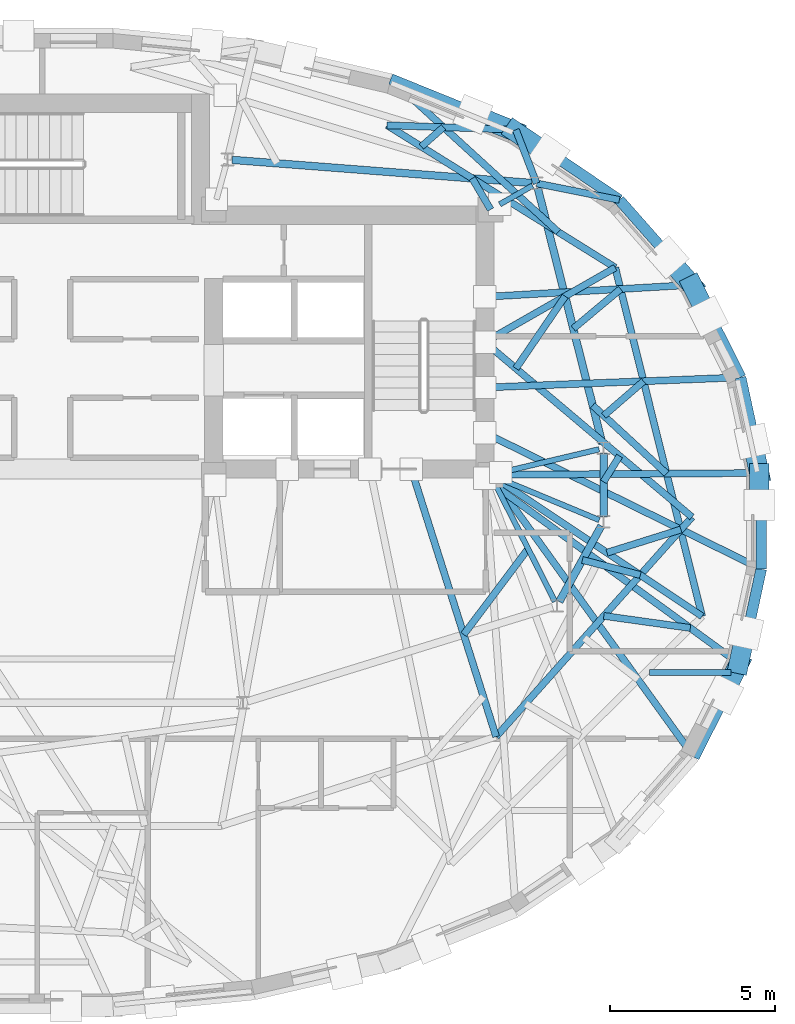
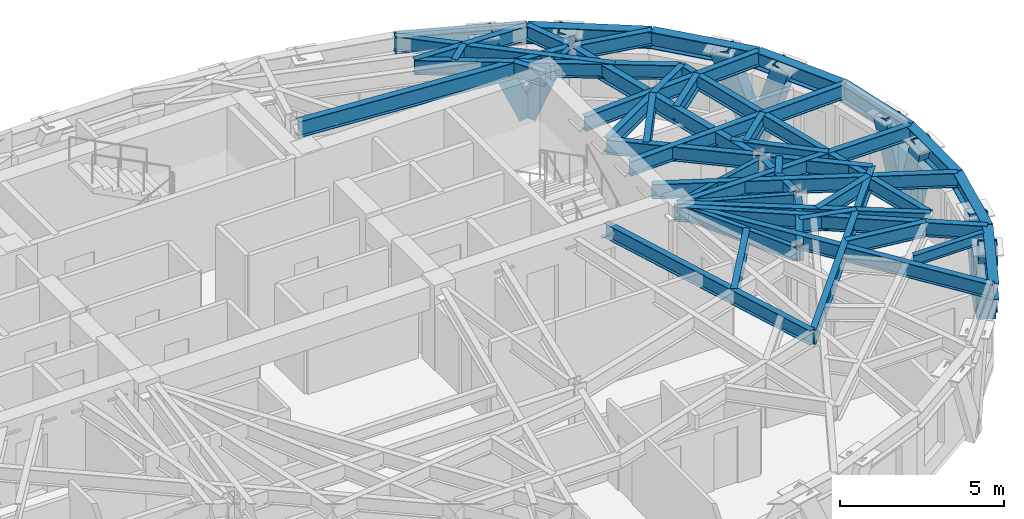
# One storey, part 4 of 13: 45 beams, 8 members.
"""IFC4 building model written with IfcOpenShell, lengths in metres."""

from ifc_helpers import new_model, si_unit, direction, frame, origin, origin_2d, place, context, subcontext, project, spatial, hollow_rectangle, i_section, extrude, material, material_profile, profile_set, type_object, element, save


model = new_model("IFC4")

# Units and contexts
model_context = context("Model", 3, precision=1e-05, world=origin(), true_north=direction((0.0, 1.0)))
body_context = subcontext(model_context, "Body", "Model", "MODEL_VIEW")
ifc_project = project(units=[si_unit("LENGTHUNIT", "METRE"), si_unit("AREAUNIT", "SQUARE_METRE"), si_unit("VOLUMEUNIT", "CUBIC_METRE"), si_unit("PLANEANGLEUNIT", "RADIAN"), si_unit("MASSUNIT", "GRAM", prefix="KILO")], contexts=[model_context])

# Site, building, storey
site_placement = place(None, origin())
site = spatial("IfcSite", under=ifc_project, at=site_placement, CompositionType="ELEMENT")
building_placement = place(site_placement, origin())
building = spatial("IfcBuilding", under=site, at=building_placement, Name="Keldmark Tower", CompositionType="ELEMENT")
storey_placement = place(building_placement, frame((0.0, 0.0, 235.199951171875)))
storey = spatial("IfcBuildingStorey", under=building, at=storey_placement, Name="L66", CompositionType="ELEMENT", Elevation=235.199951171875)

# Beam
ifc_material_1 = material(Name="Steel ASTM A992 Grade 50", Category="steel")
ifc_material_profile_1 = material_profile(ifc_material_1, i_section(OverallWidth=0.177978515625, OverallDepth=0.403076171875, WebThickness=0.007568359375, FlangeThickness=0.010986328125, at=origin_2d()), Name="W16X36")
ifc_profile_set_1 = profile_set([ifc_material_profile_1], Name="Steel ASTM A992 Grade 50")
beam_type_1 = type_object("IfcBeamType", Name="Composite Floor Joist W16X36", PredefinedType="JOIST", material=ifc_profile_set_1)
beam_1_placement = place(storey_placement, frame((18.422607421875, -4.60009765625, 2.7685546875), z_axis=(1.0, 0.0, 0.0), x_axis=(0.0, 1.0, 0.0)))
element("IfcBeam", 1, at=beam_1_placement, inside=storey, type_object=beam_type_1, Name="L66 Composite Floor Joist J05", PredefinedType="JOIST", context=body_context, shape_type="SweptSolid", body=[
    extrude(i_section(OverallWidth=0.177978515625, OverallDepth=0.403076171875, WebThickness=0.007568359375, FlangeThickness=0.010986328125, at=origin_2d()), origin(), (0.0, 0.0, 1.0), 2.466796875),
])

# Members
ifc_material_2 = material(Name="Steel ASTM A572 Grade 50", Category="steel")
ifc_material_profile_2 = material_profile(ifc_material_2, hollow_rectangle(XDim=0.60009765625, YDim=0.60009765625, WallThickness=0.034912109375, at=origin_2d()), Name="BOX600X600X35")
ifc_profile_set_2 = profile_set([ifc_material_profile_2], Name="Steel ASTM A572 Grade 50")
member_type = type_object("IfcMemberType", Name="Diagrid Zone 4 Brace BOX600X600X35", PredefinedType="BRACE", material=ifc_profile_set_2)
member_1_placement = place(storey_placement, frame((21.74951171875, 1.45068359375, -0.260009765625), z_axis=(-0.063809841383, 0.296308067664, 0.952958463512), x_axis=(-0.977588814613, -0.210523418042, 0.0)))
element("IfcMember", 2, at=member_1_placement, inside=storey, type_object=member_type, Name="L66 Perimeter Diagrid Brace 01A", PredefinedType="BRACE", context=body_context, shape_type="SweptSolid", body=[
    extrude(hollow_rectangle(XDim=0.60009765625, YDim=0.60009765625, WallThickness=0.034912109375, at=origin_2d()), origin(), (0.0, 0.0, 1.0), 3.263671875),
])
member_2_placement = place(storey_placement, frame((19.71728515625, 7.14990234375, -0.260009765625), z_axis=(0.143201801896, -0.285362136141, 0.94766117109), x_axis=(0.89377384963, 0.448517898993, 0.0)))
element("IfcMember", 3, at=member_2_placement, inside=storey, type_object=member_type, Name="L66 Perimeter Diagrid Brace 01B", PredefinedType="BRACE", context=body_context, shape_type="SweptSolid", body=[
    extrude(hollow_rectangle(XDim=0.60009765625, YDim=0.60009765625, WallThickness=0.034912109375, at=origin_2d()), origin(), (0.0, 0.0, 1.0), 3.281982421875),
])
member_3_placement = place(storey_placement, frame((19.7216796875, 7.138916015625, -0.260009765625), z_axis=(-0.228311749469, 0.258959599672, 0.938516739751), x_axis=(-0.750099356508, -0.661325151016, 0.0)))
element("IfcMember", 4, at=member_3_placement, inside=storey, type_object=member_type, Name="L66 Perimeter Diagrid Brace 02A", PredefinedType="BRACE", context=body_context, shape_type="SweptSolid", body=[
    extrude(hollow_rectangle(XDim=0.60009765625, YDim=0.60009765625, WallThickness=0.034912109375, at=origin_2d()), origin(), (0.0, 0.0, 1.0), 3.31396484375),
])
member_4_placement = place(storey_placement, frame((14.319580078125, 11.831787109375, -0.260009765625), z_axis=(0.311615199657, -0.211331101564, 0.926409808268), x_axis=(0.561279407881, 0.827626380856, 0.0)))
element("IfcMember", 5, at=member_4_placement, inside=storey, type_object=member_type, Name="L66 Perimeter Diagrid Brace 02B", PredefinedType="BRACE", context=body_context, shape_type="SweptSolid", body=[
    extrude(hollow_rectangle(XDim=0.60009765625, YDim=0.60009765625, WallThickness=0.034912109375, at=origin_2d()), origin(), (0.0, 0.0, 1.0), 3.357177734375),
])
member_5_placement = place(storey_placement, frame((14.327880859375, 11.823486328125, -0.260009765625), z_axis=(-0.372536559181, 0.151084670538, 0.915636354893), x_axis=(-0.37582546078, -0.926690467756, 0.0)))
element("IfcMember", 6, at=member_5_placement, inside=storey, type_object=member_type, Name="L66 Perimeter Diagrid Brace 03A", PredefinedType="BRACE", context=body_context, shape_type="SweptSolid", body=[
    extrude(hollow_rectangle(XDim=0.60009765625, YDim=0.60009765625, WallThickness=0.034912109375, at=origin_2d()), origin(), (0.0, 0.0, 1.0), 3.396728515625),
])
member_6_placement = place(storey_placement, frame((21.131591796875, -4.329345703125, -0.260009765625), z_axis=(-0.143201801896, -0.285362136141, 0.94766117109), x_axis=(0.89377384963, -0.448517898993, 0.0)))
element("IfcMember", 7, at=member_6_placement, inside=storey, type_object=member_type, Name="L66 Perimeter Diagrid Brace 15B", PredefinedType="BRACE", context=body_context, shape_type="SweptSolid", body=[
    extrude(hollow_rectangle(XDim=0.60009765625, YDim=0.60009765625, WallThickness=0.034912109375, at=origin_2d()), origin(), (0.0, 0.0, 1.0), 3.281982421875),
])
member_7_placement = place(storey_placement, frame((21.127197265625, -4.340087890625, -0.260009765625), z_axis=(0.063811255643, 0.296239826902, 0.952979584572), x_axis=(-0.977577872293, 0.210574223501, 0.0)))
element("IfcMember", 8, at=member_7_placement, inside=storey, type_object=member_type, Name="L66 Perimeter Diagrid Brace 16A", PredefinedType="BRACE", context=body_context, shape_type="SweptSolid", body=[
    extrude(hollow_rectangle(XDim=0.60009765625, YDim=0.60009765625, WallThickness=0.034912109375, at=origin_2d()), origin(), (0.0, 0.0, 1.0), 3.263671875),
])
member_8_placement = place(storey_placement, frame((21.74951171875, 1.46240234375, -0.260009765625), z_axis=(0.0, -0.298006184629, 0.954563939148), x_axis=(1.0, 0.0, 0.0)))
element("IfcMember", 9, at=member_8_placement, inside=storey, type_object=member_type, Name="L66 Perimeter Diagrid Brace 16B", PredefinedType="BRACE", context=body_context, shape_type="SweptSolid", body=[
    extrude(hollow_rectangle(XDim=0.60009765625, YDim=0.60009765625, WallThickness=0.034912109375, at=origin_2d()), origin(), (0.0, 0.0, 1.0), 3.258056640625),
])

# Beams
ifc_material_3 = material(Name="Steel ASTM A992 Grade 50", Category="steel")
ifc_material_profile_3 = material_profile(ifc_material_3, i_section(OverallWidth=0.22802734375, OverallDepth=0.60302734375, WebThickness=0.010498046875, FlangeThickness=0.014892578125, at=origin_2d()), Name="W24X68")
ifc_profile_set_3 = profile_set([ifc_material_profile_3], Name="Steel ASTM A992 Grade 50")
beam_type_2 = type_object("IfcBeamType", Name="Primary Floor Girder W24X68", PredefinedType="BEAM", material=ifc_profile_set_3)
beam_2_placement = place(storey_placement, frame((16.9912109375, 2.34375, 2.66845703125), z_axis=(-0.244902129455, 0.969547805417, 0.0), x_axis=(-0.969547805417, -0.244902129455, 0.0)))
element("IfcBeam", 10, at=beam_2_placement, inside=storey, type_object=beam_type_2, Name="L66 Floor Ring Girder FG-R01", PredefinedType="BEAM", context=body_context, shape_type="SweptSolid", body=[
    extrude(i_section(OverallWidth=0.22802734375, OverallDepth=0.60302734375, WebThickness=0.010498046875, FlangeThickness=0.014892578125, at=origin_2d()), origin(), (0.0, 0.0, 1.0), 8.008056640625),
])
beam_3_placement = place(storey_placement, frame((14.856201171875, 10.25439453125, 2.66845703125), z_axis=(-0.997037147832, 0.076921556421, 0.0), x_axis=(-0.076921556421, -0.997037147832, 0.0)))
element("IfcBeam", 11, at=beam_3_placement, inside=storey, type_object=beam_type_2, Name="L66 Floor Ring Girder FG-R02", PredefinedType="BEAM", context=body_context, shape_type="SweptSolid", body=[
    extrude(i_section(OverallWidth=0.22802734375, OverallDepth=0.60302734375, WebThickness=0.010498046875, FlangeThickness=0.014892578125, at=origin_2d()), origin(), (0.0, 0.0, 1.0), 9.125),
])
beam_4_placement = place(storey_placement, frame((15.68408203125, -2.44482421875, 2.66845703125), z_axis=(0.484719680408, 0.874669555561, 0.0), x_axis=(-0.874669555561, 0.484719680408, 0.0)))
element("IfcBeam", 12, at=beam_4_placement, inside=storey, type_object=beam_type_2, Name="L66 Floor Ring Girder FG-R11", PredefinedType="BEAM", context=body_context, shape_type="SweptSolid", body=[
    extrude(i_section(OverallWidth=0.22802734375, OverallDepth=0.60302734375, WebThickness=0.010498046875, FlangeThickness=0.014892578125, at=origin_2d()), origin(), (0.0, 0.0, 1.0), 2.627685546875),
])
beam_5_placement = place(storey_placement, frame((17.025634765625, 0.115966796875, 2.66845703125), z_axis=(0.0, 1.0, 0.0), x_axis=(-1.0, 0.0, 0.0)))
element("IfcBeam", 13, at=beam_5_placement, inside=storey, type_object=beam_type_2, Name="L66 Floor Ring Girder FG-R12", PredefinedType="BEAM", context=body_context, shape_type="SweptSolid", body=[
    extrude(i_section(OverallWidth=0.22802734375, OverallDepth=0.60302734375, WebThickness=0.010498046875, FlangeThickness=0.014892578125, at=origin_2d()), origin(), (0.0, 0.0, 1.0), 1.9521484375),
])
ifc_material_4 = material(Name="Steel ASTM A992 Grade 50", Category="steel")
ifc_material_profile_4 = material_profile(ifc_material_4, i_section(OverallWidth=0.166015625, OverallDepth=0.529052734375, WebThickness=0.009765625, FlangeThickness=0.013671875, at=origin_2d()), Name="W21X50")
ifc_profile_set_4 = profile_set([ifc_material_profile_4], Name="Steel ASTM A992 Grade 50")
beam_type_3 = type_object("IfcBeamType", Name="Radial Tie Girder W21X50", PredefinedType="BEAM", material=ifc_profile_set_4)
beam_6_placement = place(storey_placement, frame((16.889404296875, 2.17578125, 2.70556640625), z_axis=(-0.97329039005, -0.229577474147, 0.0), x_axis=(0.229577474147, -0.97329039005, 0.0)))
element("IfcBeam", 14, at=beam_6_placement, inside=storey, type_object=beam_type_3, Name="L66 Floor Radial Girder FG-C01", PredefinedType="BEAM", context=body_context, shape_type="SweptSolid", body=[
    extrude(i_section(OverallWidth=0.166015625, OverallDepth=0.529052734375, WebThickness=0.009765625, FlangeThickness=0.013671875, at=origin_2d()), origin(), (0.0, 0.0, 1.0), 3.0595703125),
])
beam_7_placement = place(storey_placement, frame((14.8740234375, 10.174560546875, 2.70556640625), z_axis=(-0.869238046195, -0.494393789451, 0.0), x_axis=(0.494393789451, -0.869238046195, 0.0)))
element("IfcBeam", 15, at=beam_7_placement, inside=storey, type_object=beam_type_3, Name="L66 Floor Radial Girder FG-C02", PredefinedType="BEAM", context=body_context, shape_type="SweptSolid", body=[
    extrude(i_section(OverallWidth=0.166015625, OverallDepth=0.529052734375, WebThickness=0.009765625, FlangeThickness=0.013671875, at=origin_2d()), origin(), (0.0, 0.0, 1.0), 1.145751953125),
])
beam_8_placement = place(storey_placement, frame((15.552734375, -2.442626953125, 2.70556640625), z_axis=(-0.453004410574, 0.89150827478, 0.0), x_axis=(-0.89150827478, -0.453004410574, 0.0)))
element("IfcBeam", 16, at=beam_8_placement, inside=storey, type_object=beam_type_3, Name="L66 Floor Radial Girder FG-C11", PredefinedType="BEAM", context=body_context, shape_type="SweptSolid", body=[
    extrude(i_section(OverallWidth=0.166015625, OverallDepth=0.529052734375, WebThickness=0.009765625, FlangeThickness=0.013671875, at=origin_2d()), origin(), (0.0, 0.0, 1.0), 3.990234375),
])
beam_9_placement = place(storey_placement, frame((16.896240234375, 0.02978515625, 2.70556640625), z_axis=(-0.923403331902, 0.383831065226, 0.0), x_axis=(-0.383831065226, -0.923403331902, 0.0)))
element("IfcBeam", 17, at=beam_9_placement, inside=storey, type_object=beam_type_3, Name="L66 Floor Radial Girder FG-C12", PredefinedType="BEAM", context=body_context, shape_type="SweptSolid", body=[
    extrude(i_section(OverallWidth=0.166015625, OverallDepth=0.529052734375, WebThickness=0.009765625, FlangeThickness=0.013671875, at=origin_2d()), origin(), (0.0, 0.0, 1.0), 3.249755859375),
])
ifc_material_5 = material(Name="Steel ASTM A992 Grade 50", Category="steel")
ifc_material_profile_5 = material_profile(ifc_material_5, i_section(OverallWidth=0.2099609375, OverallDepth=0.537109375, WebThickness=0.010986328125, FlangeThickness=0.017333984375, at=origin_2d()), Name="W21X68")
ifc_profile_set_5 = profile_set([ifc_material_profile_5], Name="Steel ASTM A992 Grade 50")
beam_type_4 = type_object("IfcBeamType", Name="Radial Tie Girder W21X68", PredefinedType="BEAM", material=ifc_profile_set_5)
beam_10_placement = place(storey_placement, frame((14.7392578125, -0.841796875, 2.70166015625), z_axis=(-0.600792057917, -0.799405343455, 0.0), x_axis=(0.799405343455, -0.600792057917, 0.0)))
element("IfcBeam", 18, at=beam_10_placement, inside=storey, type_object=beam_type_4, Name="L66 Framing Pin Header PH-005", PredefinedType="BEAM", context=body_context, shape_type="SweptSolid", body=[
    extrude(i_section(OverallWidth=0.2099609375, OverallDepth=0.537109375, WebThickness=0.010986328125, FlangeThickness=0.017333984375, at=origin_2d()), origin(), (0.0, 0.0, 1.0), 3.253662109375),
])
beam_11_placement = place(storey_placement, frame((11.19287109375, 1.574951171875, 2.70166015625), z_axis=(0.3023360028, -0.953201417021, 0.0), x_axis=(0.953201417021, 0.3023360028, 0.0)))
element("IfcBeam", 19, at=beam_11_placement, inside=storey, type_object=beam_type_4, Name="L66 Sub-Ring Step Girder STP1-M11", PredefinedType="BEAM", context=body_context, shape_type="SweptSolid", body=[
    extrude(i_section(OverallWidth=0.2099609375, OverallDepth=0.537109375, WebThickness=0.010986328125, FlangeThickness=0.017333984375, at=origin_2d()), origin(), (0.0, 0.0, 1.0), 8.514404296875),
])
beam_12_placement = place(storey_placement, frame((17.025634765625, 1.189697265625, 2.70166015625), z_axis=(0.527856749406, 0.849333416337, 0.0), x_axis=(-0.849333416337, 0.527856749406, 0.0)))
element("IfcBeam", 20, at=beam_12_placement, inside=storey, type_object=beam_type_4, Name="L66 Framing Pin Header PH-006", PredefinedType="BEAM", context=body_context, shape_type="SweptSolid", body=[
    extrude(i_section(OverallWidth=0.2099609375, OverallDepth=0.537109375, WebThickness=0.010986328125, FlangeThickness=0.017333984375, at=origin_2d()), origin(), (0.0, 0.0, 1.0), 0.922607421875),
])
beam_13_placement = place(storey_placement, frame((13.425048828125, 5.425048828125, 2.70166015625), z_axis=(0.764059179504, -0.645146161901, 0.0), x_axis=(0.645146161901, 0.764059179504, 0.0)))
element("IfcBeam", 21, at=beam_13_placement, inside=storey, type_object=beam_type_4, Name="L66 Sub-Ring Step Girder STP1-M12", PredefinedType="BEAM", context=body_context, shape_type="SweptSolid", body=[
    extrude(i_section(OverallWidth=0.2099609375, OverallDepth=0.537109375, WebThickness=0.010986328125, FlangeThickness=0.017333984375, at=origin_2d()), origin(), (0.0, 0.0, 1.0), 8.224609375),
])
beam_14_placement = place(storey_placement, frame((13.76708984375, -6.541015625, 2.70166015625), z_axis=(0.665753182489, 0.746172031107, 0.0), x_axis=(-0.746172031107, 0.665753182489, 0.0)))
element("IfcBeam", 22, at=beam_14_placement, inside=storey, type_object=beam_type_4, Name="L66 Perimeter Collector Ring Beam CRG1-M11", PredefinedType="BEAM", context=body_context, shape_type="SweptSolid", body=[
    extrude(i_section(OverallWidth=0.2099609375, OverallDepth=0.537109375, WebThickness=0.010986328125, FlangeThickness=0.017333984375, at=origin_2d()), origin(), (0.0, 0.0, 1.0), 8.925537109375),
])
beam_15_placement = place(storey_placement, frame((14.36767578125, 4.629150390625, 2.70166015625), z_axis=(0.563534054142, 0.826092833659, 0.0), x_axis=(-0.826092833659, 0.563534054142, 0.0)))
element("IfcBeam", 23, at=beam_15_placement, inside=storey, type_object=beam_type_4, Name="L66 Framing Pin Header PH-007", PredefinedType="BEAM", context=body_context, shape_type="SweptSolid", body=[
    extrude(i_section(OverallWidth=0.2099609375, OverallDepth=0.537109375, WebThickness=0.010986328125, FlangeThickness=0.017333984375, at=origin_2d()), origin(), (0.0, 0.0, 1.0), 2.650146484375),
])
beam_16_placement = place(storey_placement, frame((13.425048828125, 5.425048828125, 2.70166015625), z_axis=(0.86802883887, 0.496513781168, 0.0), x_axis=(-0.496513781168, 0.86802883887, 0.0)))
element("IfcBeam", 24, at=beam_16_placement, inside=storey, type_object=beam_type_4, Name="L66 Sub-Ring Step Girder STP2-M01", PredefinedType="BEAM", context=body_context, shape_type="SweptSolid", body=[
    extrude(i_section(OverallWidth=0.2099609375, OverallDepth=0.537109375, WebThickness=0.010986328125, FlangeThickness=0.017333984375, at=origin_2d()), origin(), (0.0, 0.0, 1.0), 4.55859375),
])
beam_17_placement = place(storey_placement, frame((16.384521484375, -1.180908203125, 2.70166015625), z_axis=(0.967879454201, -0.2514147214, 0.0), x_axis=(0.2514147214, 0.967879454201, 0.0)))
element("IfcBeam", 25, at=beam_17_placement, inside=storey, type_object=beam_type_4, Name="L66 Framing Pin Header PH-012", PredefinedType="BEAM", context=body_context, shape_type="SweptSolid", body=[
    extrude(i_section(OverallWidth=0.2099609375, OverallDepth=0.537109375, WebThickness=0.010986328125, FlangeThickness=0.017333984375, at=origin_2d()), origin(), (0.0, 0.0, 1.0), 1.81591796875),
])
beam_18_placement = place(storey_placement, frame((13.60009765625, 1.39990234375, 2.70166015625), z_axis=(0.831256362495, -0.555889251391, 0.0), x_axis=(0.555889251391, 0.831256362495, 0.0)))
element("IfcBeam", 26, at=beam_18_placement, inside=storey, type_object=beam_type_4, Name="L66 Sub-Ring Step Girder STP2-M12", PredefinedType="BEAM", context=body_context, shape_type="SweptSolid", body=[
    extrude(i_section(OverallWidth=0.2099609375, OverallDepth=0.537109375, WebThickness=0.010986328125, FlangeThickness=0.017333984375, at=origin_2d()), origin(), (0.0, 0.0, 1.0), 7.7197265625),
])
beam_19_placement = place(storey_placement, frame((20.01708984375, -2.891357421875, 2.70166015625), z_axis=(-0.241676731391, 0.970356819682, 0.0), x_axis=(-0.970356819682, -0.241676731391, 0.0)))
element("IfcBeam", 27, at=beam_19_placement, inside=storey, type_object=beam_type_4, Name="L66 Perimeter Collector Ring Beam CRG2-M12", PredefinedType="BEAM", context=body_context, shape_type="SweptSolid", body=[
    extrude(i_section(OverallWidth=0.2099609375, OverallDepth=0.537109375, WebThickness=0.010986328125, FlangeThickness=0.017333984375, at=origin_2d()), origin(), (0.0, 0.0, 1.0), 10.903076171875),
])
beam_20_placement = place(storey_placement, frame((16.697021484375, 3.50830078125, 2.70166015625), z_axis=(0.734505952671, -0.678602243948, 0.0), x_axis=(0.678602243948, 0.734505952671, 0.0)))
element("IfcBeam", 28, at=beam_20_placement, inside=storey, type_object=beam_type_4, Name="L66 Framing Pin Header PH-013", PredefinedType="BEAM", context=body_context, shape_type="SweptSolid", body=[
    extrude(i_section(OverallWidth=0.2099609375, OverallDepth=0.537109375, WebThickness=0.010986328125, FlangeThickness=0.017333984375, at=origin_2d()), origin(), (0.0, 0.0, 1.0), 3.052734375),
])
beam_21_placement = place(storey_placement, frame((13.60009765625, 1.39990234375, 2.70166015625), z_axis=(0.999976198415, 0.006899464031, 0.0), x_axis=(-0.006899464031, 0.999976198415, 0.0)))
element("IfcBeam", 29, at=beam_21_placement, inside=storey, type_object=beam_type_4, Name="L66 Perimeter Radial Tie Girder RT-01", PredefinedType="BEAM", context=body_context, shape_type="SweptSolid", body=[
    extrude(i_section(OverallWidth=0.2099609375, OverallDepth=0.537109375, WebThickness=0.010986328125, FlangeThickness=0.017333984375, at=origin_2d()), origin(), (0.0, 0.0, 1.0), 8.20947265625),
])
beam_22_placement = place(storey_placement, frame((17.033447265625, 3.197509765625, 2.70166015625), z_axis=(0.756571819004, 0.653910607568, 0.0), x_axis=(-0.653910607568, 0.756571819004, 0.0)))
element("IfcBeam", 30, at=beam_22_placement, inside=storey, type_object=beam_type_4, Name="L66 Framing Pin Header PH-014", PredefinedType="BEAM", context=body_context, shape_type="SweptSolid", body=[
    extrude(i_section(OverallWidth=0.2099609375, OverallDepth=0.537109375, WebThickness=0.010986328125, FlangeThickness=0.017333984375, at=origin_2d()), origin(), (0.0, 0.0, 1.0), 1.595703125),
])
beam_23_placement = place(storey_placement, frame((13.425048828125, 4.050048828125, 2.70166015625), z_axis=(0.999215108234, 0.039612718635, 0.0), x_axis=(-0.039612718635, 0.999215108234, 0.0)))
element("IfcBeam", 31, at=beam_23_placement, inside=storey, type_object=beam_type_4, Name="L66 Perimeter Radial Tie Girder RT-02", PredefinedType="BEAM", context=body_context, shape_type="SweptSolid", body=[
    extrude(i_section(OverallWidth=0.2099609375, OverallDepth=0.537109375, WebThickness=0.010986328125, FlangeThickness=0.017333984375, at=origin_2d()), origin(), (0.0, 0.0, 1.0), 7.765625),
])
beam_24_placement = place(storey_placement, frame((16.10888671875, 5.837646484375, 2.70166015625), z_axis=(0.766957773251, 0.641697572108, 0.0), x_axis=(-0.641697572108, 0.766957773251, 0.0)))
element("IfcBeam", 32, at=beam_24_placement, inside=storey, type_object=beam_type_4, Name="L66 Framing Pin Header PH-015", PredefinedType="BEAM", context=body_context, shape_type="SweptSolid", body=[
    extrude(i_section(OverallWidth=0.2099609375, OverallDepth=0.537109375, WebThickness=0.010986328125, FlangeThickness=0.017333984375, at=origin_2d()), origin(), (0.0, 0.0, 1.0), 1.87109375),
])
beam_25_placement = place(storey_placement, frame((13.425048828125, 6.800048828125, 2.70166015625), z_axis=(0.998332122383, 0.057731909876, 0.0), x_axis=(-0.057731909876, 0.998332122383, 0.0)))
element("IfcBeam", 33, at=beam_25_placement, inside=storey, type_object=beam_type_4, Name="L66 Perimeter Radial Tie Girder RT-03", PredefinedType="BEAM", context=body_context, shape_type="SweptSolid", body=[
    extrude(i_section(OverallWidth=0.2099609375, OverallDepth=0.537109375, WebThickness=0.010986328125, FlangeThickness=0.017333984375, at=origin_2d()), origin(), (0.0, 0.0, 1.0), 6.360107421875),
])
beam_26_placement = place(storey_placement, frame((14.995849609375, 10.24365234375, 2.70166015625), z_axis=(0.9805513071, -0.19626292096, 0.0), x_axis=(0.19626292096, 0.9805513071, 0.0)))
element("IfcBeam", 34, at=beam_26_placement, inside=storey, type_object=beam_type_4, Name="L66 Perimeter Column Bracket RT-04", PredefinedType="BEAM", context=body_context, shape_type="SweptSolid", body=[
    extrude(i_section(OverallWidth=0.2099609375, OverallDepth=0.537109375, WebThickness=0.010986328125, FlangeThickness=0.017333984375, at=origin_2d()), origin(), (0.0, 0.0, 1.0), 2.558837890625),
])
beam_27_placement = place(storey_placement, frame((14.995849609375, 10.24365234375, 2.70166015625), z_axis=(-0.361135466813, 0.932513364306, 0.0), x_axis=(-0.932513364306, -0.361135466813, 0.0)))
element("IfcBeam", 35, at=beam_27_placement, inside=storey, type_object=beam_type_4, Name="L66 Perimeter Column Bracket RT-05", PredefinedType="BEAM", context=body_context, shape_type="SweptSolid", body=[
    extrude(i_section(OverallWidth=0.2099609375, OverallDepth=0.537109375, WebThickness=0.010986328125, FlangeThickness=0.017333984375, at=origin_2d()), origin(), (0.0, 0.0, 1.0), 1.744140625),
])
beam_28_placement = place(storey_placement, frame((13.60009765625, 9.449951171875, 2.70166015625), z_axis=(-0.507136973213, 0.861865471173, 0.0), x_axis=(-0.861865471173, -0.507136973213, 0.0)))
element("IfcBeam", 36, at=beam_28_placement, inside=storey, type_object=beam_type_4, Name="L66 Framing Pin Header PH-016", PredefinedType="BEAM", context=body_context, shape_type="SweptSolid", body=[
    extrude(i_section(OverallWidth=0.2099609375, OverallDepth=0.537109375, WebThickness=0.010986328125, FlangeThickness=0.017333984375, at=origin_2d()), origin(), (0.0, 0.0, 1.0), 1.095703125),
])
beam_29_placement = place(storey_placement, frame((17.382080078125, 7.6884765625, 2.70166015625), z_axis=(-0.84845368143, 0.529269638717, 0.0), x_axis=(-0.529269638717, -0.84845368143, 0.0)))
element("IfcBeam", 37, at=beam_29_placement, inside=storey, type_object=beam_type_4, Name="L66 Intermediate Radial Step Girder RT-06M", PredefinedType="BEAM", context=body_context, shape_type="SweptSolid", body=[
    extrude(i_section(OverallWidth=0.2099609375, OverallDepth=0.537109375, WebThickness=0.010986328125, FlangeThickness=0.017333984375, at=origin_2d()), origin(), (0.0, 0.0, 1.0), 8.15673828125),
])
beam_30_placement = place(storey_placement, frame((14.365966796875, 11.8701171875, 2.70166015625), z_axis=(-0.999398405226, 0.034681805471, 0.0), x_axis=(-0.034681805471, -0.999398405226, 0.0)))
element("IfcBeam", 38, at=beam_30_placement, inside=storey, type_object=beam_type_4, Name="L66 Local Collector Chord RT-06C", PredefinedType="BEAM", context=body_context, shape_type="SweptSolid", body=[
    extrude(i_section(OverallWidth=0.2099609375, OverallDepth=0.537109375, WebThickness=0.010986328125, FlangeThickness=0.017333984375, at=origin_2d()), origin(), (0.0, 0.0, 1.0), 3.906982421875),
])
beam_31_placement = place(storey_placement, frame((11.49951171875, 11.35791015625, 2.70166015625), z_axis=(0.75255976066, 0.658523960563, 0.0), x_axis=(-0.658523960563, 0.75255976066, 0.0)))
element("IfcBeam", 39, at=beam_31_placement, inside=storey, type_object=beam_type_4, Name="L66 Framing Pin Header PH-017", PredefinedType="BEAM", context=body_context, shape_type="SweptSolid", body=[
    extrude(i_section(OverallWidth=0.2099609375, OverallDepth=0.537109375, WebThickness=0.010986328125, FlangeThickness=0.017333984375, at=origin_2d()), origin(), (0.0, 0.0, 1.0), 0.89306640625),
])
beam_32_placement = place(storey_placement, frame((15.652099609375, 8.767578125, 2.70166015625), z_axis=(-0.738394104317, 0.674369443785, 0.0), x_axis=(-0.674369443785, -0.738394104317, 0.0)))
element("IfcBeam", 40, at=beam_32_placement, inside=storey, type_object=beam_type_4, Name="L66 Perimeter Radial Tie Girder RT-06", PredefinedType="BEAM", context=body_context, shape_type="SweptSolid", body=[
    extrude(i_section(OverallWidth=0.2099609375, OverallDepth=0.537109375, WebThickness=0.010986328125, FlangeThickness=0.017333984375, at=origin_2d()), origin(), (0.0, 0.0, 1.0), 6.8828125),
])
beam_33_placement = place(storey_placement, frame((13.60009765625, 1.39990234375, 2.70166015625), z_axis=(0.584692608254, -0.811254925318, 0.0), x_axis=(0.811254925318, 0.584692608254, 0.0)))
element("IfcBeam", 41, at=beam_33_placement, inside=storey, type_object=beam_type_4, Name="L66 Perimeter Radial Tie Girder RT-30", PredefinedType="BEAM", context=body_context, shape_type="SweptSolid", body=[
    extrude(i_section(OverallWidth=0.2099609375, OverallDepth=0.537109375, WebThickness=0.010986328125, FlangeThickness=0.017333984375, at=origin_2d()), origin(), (0.0, 0.0, 1.0), 10.560302734375),
])
beam_34_placement = place(storey_placement, frame((17.035400390625, -2.8779296875, 2.70166015625), z_axis=(0.990356423004, -0.138542973173, 0.0), x_axis=(0.138542973173, 0.990356423004, 0.0)))
element("IfcBeam", 42, at=beam_34_placement, inside=storey, type_object=beam_type_4, Name="L66 Framing Pin Header PH-036", PredefinedType="BEAM", context=body_context, shape_type="SweptSolid", body=[
    extrude(i_section(OverallWidth=0.2099609375, OverallDepth=0.537109375, WebThickness=0.010986328125, FlangeThickness=0.017333984375, at=origin_2d()), origin(), (0.0, 0.0, 1.0), 2.648681640625),
])
beam_35_placement = place(storey_placement, frame((13.425048828125, 1.300048828125, 2.70166015625), z_axis=(0.808020893501, -0.589153830223, 0.0), x_axis=(0.589153830223, 0.808020893501, 0.0)))
element("IfcBeam", 43, at=beam_35_placement, inside=storey, type_object=beam_type_4, Name="L66 Perimeter Radial Tie Girder RT-31", PredefinedType="BEAM", context=body_context, shape_type="SweptSolid", body=[
    extrude(i_section(OverallWidth=0.2099609375, OverallDepth=0.537109375, WebThickness=0.010986328125, FlangeThickness=0.017333984375, at=origin_2d()), origin(), (0.0, 0.0, 1.0), 9.60302734375),
])
beam_36_placement = place(storey_placement, frame((17.12939453125, -0.960205078125, 2.70166015625), z_axis=(0.954226655975, 0.299084417892, 0.0), x_axis=(-0.299084417892, 0.954226655975, 0.0)))
element("IfcBeam", 44, at=beam_36_placement, inside=storey, type_object=beam_type_4, Name="L66 Framing Pin Header PH-037", PredefinedType="BEAM", context=body_context, shape_type="SweptSolid", body=[
    extrude(i_section(OverallWidth=0.2099609375, OverallDepth=0.537109375, WebThickness=0.010986328125, FlangeThickness=0.017333984375, at=origin_2d()), origin(), (0.0, 0.0, 1.0), 2.3525390625),
])
beam_37_placement = place(storey_placement, frame((13.425048828125, 2.675048828125, 2.70166015625), z_axis=(0.897003254377, -0.442023937855, 0.0), x_axis=(0.442023937855, 0.897003254377, 0.0)))
element("IfcBeam", 45, at=beam_37_placement, inside=storey, type_object=beam_type_4, Name="L66 Perimeter Radial Tie Girder RT-32", PredefinedType="BEAM", context=body_context, shape_type="SweptSolid", body=[
    extrude(i_section(OverallWidth=0.2099609375, OverallDepth=0.537109375, WebThickness=0.010986328125, FlangeThickness=0.017333984375, at=origin_2d()), origin(), (0.0, 0.0, 1.0), 9.346923828125),
])
ifc_material_6 = material(Name="Steel ASTM A992 Grade 50", Category="steel")
ifc_material_profile_6 = material_profile(ifc_material_6, i_section(OverallWidth=0.326904296875, OverallDepth=0.6220703125, WebThickness=0.015380859375, FlangeThickness=0.0244140625, at=origin_2d()), Name="W24X131")
ifc_profile_set_6 = profile_set([ifc_material_profile_6], Name="Steel ASTM A992 Grade 50")
beam_type_5 = type_object("IfcBeamType", Name="Spandrel Ring Beam W24X131", PredefinedType="SPANDREL", material=ifc_profile_set_6)
beam_38_placement = place(storey_placement, frame((21.809326171875, 1.45654296875, 2.658935546875), z_axis=(-0.210523418042, 0.977588814613, 0.0), x_axis=(-0.977588814613, -0.210523418042, 0.0)))
element("IfcBeam", 46, at=beam_38_placement, inside=storey, type_object=beam_type_5, Name="L66 Perimeter Spandrel Ring Beam SRB-01", PredefinedType="SPANDREL", context=body_context, shape_type="SweptSolid", body=[
    extrude(i_section(OverallWidth=0.326904296875, OverallDepth=0.6220703125, WebThickness=0.015380859375, FlangeThickness=0.0244140625, at=origin_2d()), origin(), (0.0, 0.0, 1.0), 2.967529296875),
])
beam_39_placement = place(storey_placement, frame((21.1845703125, 4.357666015625, 2.658935546875), z_axis=(-0.448517898993, 0.89377384963, 0.0), x_axis=(-0.89377384963, -0.448517898993, 0.0)))
element("IfcBeam", 47, at=beam_39_placement, inside=storey, type_object=beam_type_5, Name="L66 Perimeter Spandrel Ring Beam SRB-02", PredefinedType="SPANDREL", context=body_context, shape_type="SweptSolid", body=[
    extrude(i_section(OverallWidth=0.326904296875, OverallDepth=0.6220703125, WebThickness=0.015380859375, FlangeThickness=0.0244140625, at=origin_2d()), origin(), (0.0, 0.0, 1.0), 3.1435546875),
])
beam_40_placement = place(storey_placement, frame((19.774658203125, 7.167236328125, 2.658935546875), z_axis=(-0.66136043846, 0.750068243855, 0.0), x_axis=(-0.750068243855, -0.66136043846, 0.0)))
element("IfcBeam", 48, at=beam_40_placement, inside=storey, type_object=beam_type_5, Name="L66 Perimeter Spandrel Ring Beam SRB-03", PredefinedType="SPANDREL", context=body_context, shape_type="SweptSolid", body=[
    extrude(i_section(OverallWidth=0.326904296875, OverallDepth=0.6220703125, WebThickness=0.015380859375, FlangeThickness=0.0244140625, at=origin_2d()), origin(), (0.0, 0.0, 1.0), 3.431884765625),
])
beam_41_placement = place(storey_placement, frame((17.5048828125, 9.741455078125, 2.658935546875), z_axis=(-0.827637036896, 0.561263694851, 0.0), x_axis=(-0.561263694851, -0.827637036896, 0.0)))
element("IfcBeam", 49, at=beam_41_placement, inside=storey, type_object=beam_type_5, Name="L66 Perimeter Spandrel Ring Beam SRB-04", PredefinedType="SPANDREL", context=body_context, shape_type="SweptSolid", body=[
    extrude(i_section(OverallWidth=0.326904296875, OverallDepth=0.6220703125, WebThickness=0.015380859375, FlangeThickness=0.0244140625, at=origin_2d()), origin(), (0.0, 0.0, 1.0), 3.792724609375),
])
beam_42_placement = place(storey_placement, frame((14.365966796875, 11.8701171875, 2.658935546875), z_axis=(-0.926731976866, 0.375723093586, 0.0), x_axis=(-0.375723093586, -0.926731976866, 0.0)))
element("IfcBeam", 50, at=beam_42_placement, inside=storey, type_object=beam_type_5, Name="L66 Perimeter Spandrel Ring Beam SRB-05", PredefinedType="SPANDREL", context=body_context, shape_type="SweptSolid", body=[
    extrude(i_section(OverallWidth=0.326904296875, OverallDepth=0.6220703125, WebThickness=0.015380859375, FlangeThickness=0.0244140625, at=origin_2d()), origin(), (0.0, 0.0, 1.0), 4.09619140625),
])
beam_43_placement = place(storey_placement, frame((19.774658203125, -7.167236328125, 2.658935546875), z_axis=(0.448517898993, 0.89377384963, 0.0), x_axis=(-0.89377384963, 0.448517898993, 0.0)))
element("IfcBeam", 51, at=beam_43_placement, inside=storey, type_object=beam_type_5, Name="L66 Perimeter Spandrel Ring Beam SRB-30", PredefinedType="SPANDREL", context=body_context, shape_type="SweptSolid", body=[
    extrude(i_section(OverallWidth=0.326904296875, OverallDepth=0.6220703125, WebThickness=0.015380859375, FlangeThickness=0.0244140625, at=origin_2d()), origin(), (0.0, 0.0, 1.0), 3.1435546875),
])
beam_44_placement = place(storey_placement, frame((21.1845703125, -4.357666015625, 2.658935546875), z_axis=(0.210523418042, 0.977588814613, 0.0), x_axis=(-0.977588814613, 0.210523418042, 0.0)))
element("IfcBeam", 52, at=beam_44_placement, inside=storey, type_object=beam_type_5, Name="L66 Perimeter Spandrel Ring Beam SRB-31", PredefinedType="SPANDREL", context=body_context, shape_type="SweptSolid", body=[
    extrude(i_section(OverallWidth=0.326904296875, OverallDepth=0.6220703125, WebThickness=0.015380859375, FlangeThickness=0.0244140625, at=origin_2d()), origin(), (0.0, 0.0, 1.0), 2.967529296875),
])
beam_45_placement = place(storey_placement, frame((21.809326171875, -1.45654296875, 2.658935546875), z_axis=(0.0, 1.0, 0.0), x_axis=(-1.0, 0.0, 0.0)))
element("IfcBeam", 53, at=beam_45_placement, inside=storey, type_object=beam_type_5, Name="L66 Perimeter Spandrel Ring Beam SRB-32", PredefinedType="SPANDREL", context=body_context, shape_type="SweptSolid", body=[
    extrude(i_section(OverallWidth=0.326904296875, OverallDepth=0.6220703125, WebThickness=0.015380859375, FlangeThickness=0.0244140625, at=origin_2d()), origin(), (0.0, 0.0, 1.0), 2.9130859375),
])

save(model, "model.ifc")
